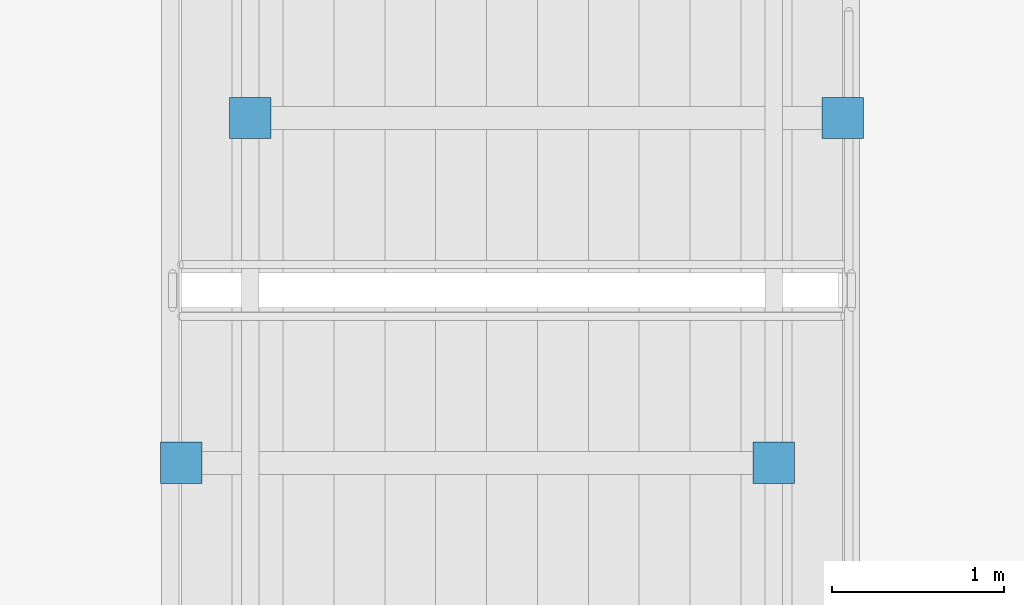
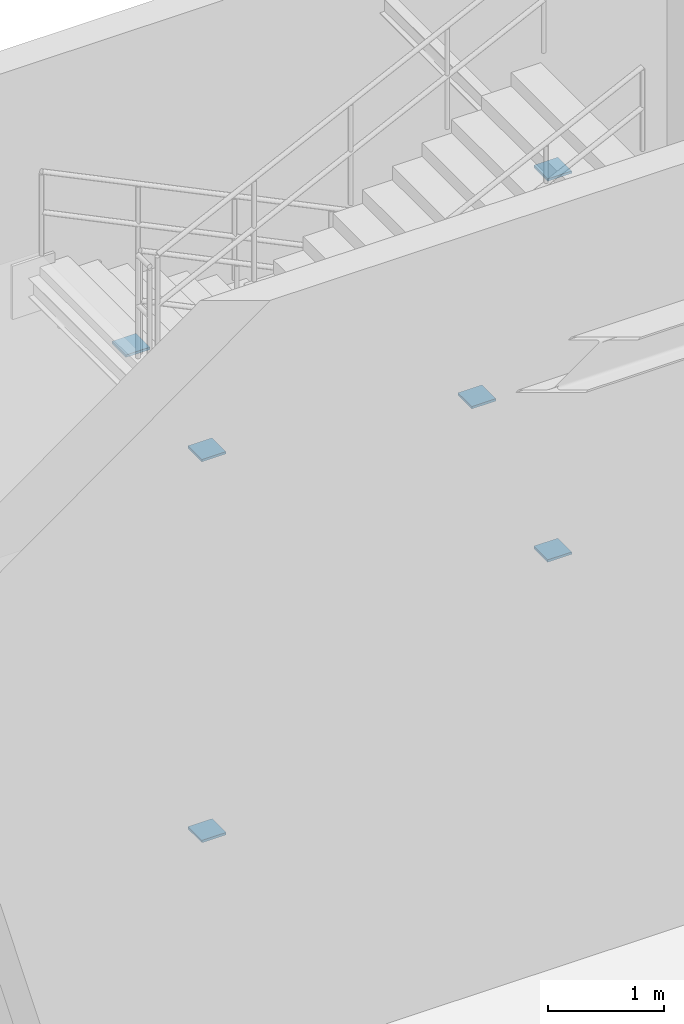
# One storey, part 124 of 138: 6 discrete accessories.
"""IFC4 building model written with IfcOpenShell, lengths in metres."""

from ifc_helpers import new_model, si_unit, direction, frame, origin, origin_2d, place, context, subcontext, project, spatial, rectangle, extrude, material, type_object, element, save


model = new_model("IFC4")

# Units and contexts
model_context = context("Model", 3, precision=1e-05, world=origin(), true_north=direction((0.0, 1.0)))
body_context = subcontext(model_context, "Body", "Model", "MODEL_VIEW")
ifc_project = project(units=[si_unit("LENGTHUNIT", "METRE"), si_unit("AREAUNIT", "SQUARE_METRE"), si_unit("VOLUMEUNIT", "CUBIC_METRE"), si_unit("PLANEANGLEUNIT", "RADIAN"), si_unit("MASSUNIT", "GRAM", prefix="KILO")], contexts=[model_context])

# Site, building, storey
site_placement = place(None, origin())
site = spatial("IfcSite", under=ifc_project, at=site_placement, CompositionType="ELEMENT")
building_placement = place(site_placement, origin())
building = spatial("IfcBuilding", under=site, at=building_placement, Name="Sundkrona Museum", CompositionType="ELEMENT")
storey_placement = place(building_placement, frame((0.0, 0.0, 9.60009765625)))
storey = spatial("IfcBuildingStorey", under=building, at=storey_placement, Name="L02", CompositionType="ELEMENT", Elevation=9.60009765625)

# Discrete accessories
ifc_material = material(Name="Stainless Steel EN 1.4404 Cleat", Category="steel")
discrete_accessory_type = type_object("IfcDiscreteAccessoryType", Name="BRK-FIN-01", PredefinedType="BRACKET", material=ifc_material)
for number, where, z_axis, x_axis, name in (
    (1, (140.465087890625, 110.800048828125, 1.66748046875), (0.0, 0.0, 1.0), (1.0, 0.0, 0.0), "Brace and Strut End Connection Plate RK-ST-ST-5-L02-2-1"),
    (2, (143.89990234375, 110.800048828125, 3.411376953125), (0.0, 0.0, 1.0), (1.0, 0.0, 0.0), "Brace and Strut End Connection Plate RK-ST-ST-5-L02-2-2"),
    (3, (144.300048828125, 112.800048828125, 3.66748046875), (0.0, 0.0, 1.0), (1.0, 0.0, 0.0), "Brace and Strut End Connection Plate RK-ST-ST-5-L02-3-1"),
    (4, (140.864990234375, 112.800048828125, 5.411376953125), (0.0, 0.0, 1.0), (1.0, 0.0, 0.0), "Brace and Strut End Connection Plate RK-ST-ST-5-L02-3-2"),
    (5, (140.465087890625, 110.800048828125, 5.66748046875), (0.0, 0.0, 1.0), (1.0, 0.0, 0.0), "Brace and Strut End Connection Plate RK-ST-ST-5-L02-4-1"),
    (6, (143.89990234375, 110.800048828125, 7.411376953125), (0.0, 0.0, 1.0), (1.0, 0.0, 0.0), "Brace and Strut End Connection Plate RK-ST-ST-5-L02-4-2"),
):
    element("IfcDiscreteAccessory", number, at=place(storey_placement, frame(where, z_axis=z_axis, x_axis=x_axis)), inside=storey, type_object=discrete_accessory_type, Name=name, PredefinedType="BRACKET", context=body_context, shape_type="SweptSolid", body=[
        extrude(rectangle(XDim=0.239990234375, YDim=0.239990234375, at=origin_2d()), origin(), (0.0, 0.0, 1.0), 0.02490234375),
    ])

save(model, "model.ifc")
